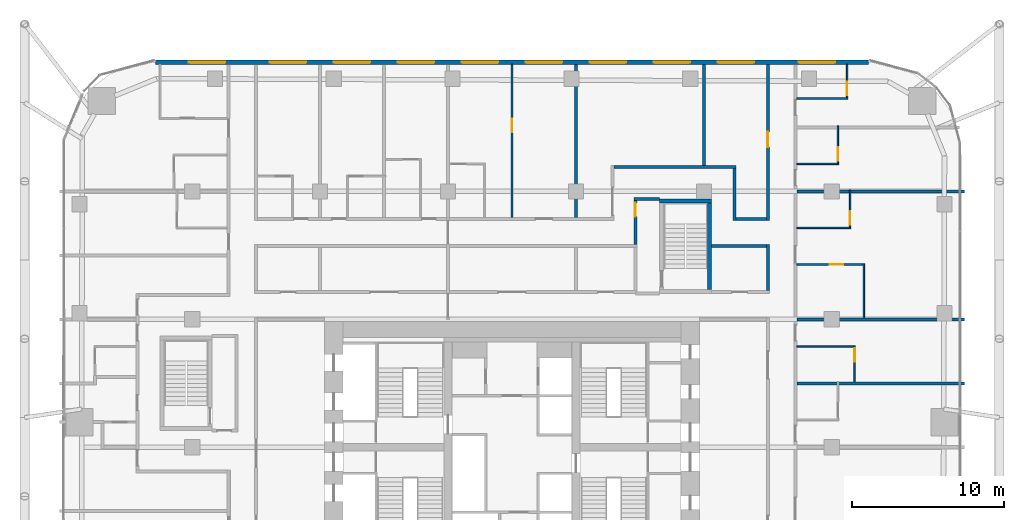
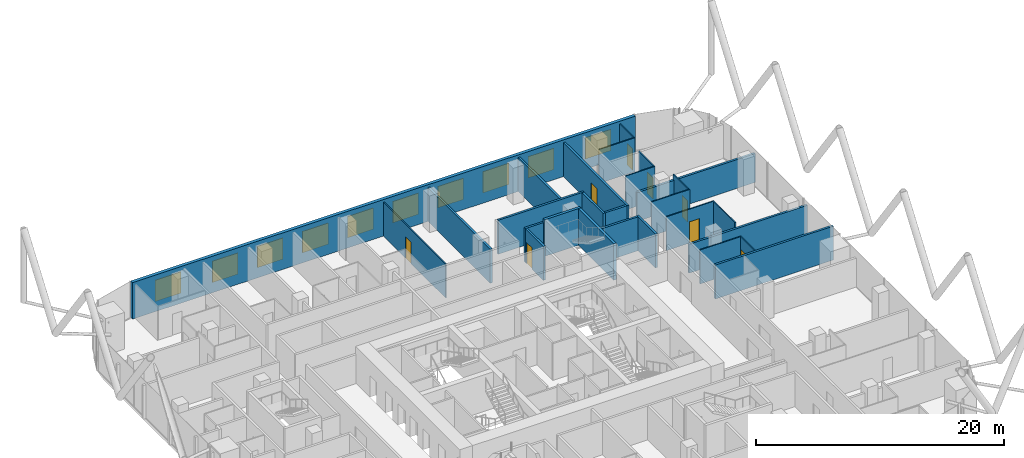
# One storey, part 35 of 38: 27 walls, 10 windows, 8 doors, 18 openings.
"""IFC4 building model written with IfcOpenShell, lengths in metres."""

from ifc_helpers import new_model, si_unit, direction, frame, frame_2d, origin, place, context, subcontext, project, spatial, rectangle, extrude, material, layer, layer_set, type_object, element, fill, save


model = new_model("IFC4")

# Units and contexts
model_context = context("Model", 3, precision=1e-05, world=origin(), true_north=direction((0.0, 1.0)))
body_context = subcontext(model_context, "Body", "Model", "MODEL_VIEW")
ifc_project = project(units=[si_unit("LENGTHUNIT", "METRE"), si_unit("AREAUNIT", "SQUARE_METRE"), si_unit("VOLUMEUNIT", "CUBIC_METRE"), si_unit("PLANEANGLEUNIT", "RADIAN"), si_unit("MASSUNIT", "GRAM", prefix="KILO")], contexts=[model_context])

# Site, building, storey
site_placement = place(None, origin())
site = spatial("IfcSite", under=ifc_project, at=site_placement, CompositionType="ELEMENT")
building_placement = place(site_placement, origin())
building = spatial("IfcBuilding", under=site, at=building_placement, Name="Marenta Gate Hotel Tower", CompositionType="ELEMENT")
storey_placement = place(building_placement, frame((0.0, 0.0, 40.10009765625)))
storey = spatial("IfcBuildingStorey", under=building, at=storey_placement, Name="L07", CompositionType="ELEMENT", Elevation=40.10009765625)

# Wall, openings, windows
ifc_material_1 = material(Name="Concrete C40 board-marked", Category="concrete")
ifc_layer_1 = layer(ifc_material_1, 0.300048828125)
ifc_layer_set_1 = layer_set([ifc_layer_1], Name="Concrete C40 board-marked")
wall_type_1 = type_object("IfcWallType", Name="Board-marked concrete wall 300 mm", PredefinedType="NOTDEFINED", material=ifc_layer_set_1)
wall_1_placement = place(storey_placement, frame((23.406005859375, 33.68994140625, 0.0), z_axis=(0.0, 0.0, 1.0), x_axis=(-1.0, 0.0, 0.0)))
wall_1 = element("IfcWall", 1, at=wall_1_placement, inside=storey, type_object=wall_type_1, Name="L07-CLD-N00", PredefinedType="NOTDEFINED", context=body_context, shape_type="SweptSolid", body=[
    extrude(rectangle(XDim=46.81201171875, YDim=0.300048828125, at=frame_2d((23.406005859375, 0.0))), origin(), (0.0, 0.0, 1.0), 3.599853515625),
])
opening_1_placement = place(wall_1_placement, frame((2.185791015625, 0.0, 0.89990234375)))
opening_1 = element("IfcOpeningElement", 2, at=opening_1_placement, cuts=wall_1, Name="Opening W1", PredefinedType="OPENING", context=body_context, shape_type="SweptSolid", body=[
    extrude(rectangle(XDim=2.39990234375, YDim=2.10009765625, at=frame_2d((1.199951171875, 1.050048828125))), frame((0.0, 0.14990234375, 0.0), z_axis=(0.0, -1.0, 0.0), x_axis=(1.0, 0.0, 0.0)), (0.0, 0.0, 1.0), 0.300048828125),
])
opening_2_placement = place(wall_1_placement, frame((7.505859375, 0.0, 0.89990234375)))
opening_2 = element("IfcOpeningElement", 3, at=opening_2_placement, cuts=wall_1, Name="Opening W1", PredefinedType="OPENING", context=body_context, shape_type="SweptSolid", body=[
    extrude(rectangle(XDim=2.39990234375, YDim=2.10009765625, at=frame_2d((1.199951171875, 1.050048828125))), frame((0.0, 0.14990234375, 0.0), z_axis=(0.0, -1.0, 0.0), x_axis=(1.0, 0.0, 0.0)), (0.0, 0.0, 1.0), 0.300048828125),
])
opening_3_placement = place(wall_1_placement, frame((11.705810546875, 0.0, 0.89990234375)))
opening_3 = element("IfcOpeningElement", 4, at=opening_3_placement, cuts=wall_1, Name="Opening W1", PredefinedType="OPENING", context=body_context, shape_type="SweptSolid", body=[
    extrude(rectangle(XDim=2.39990234375, YDim=2.10009765625, at=frame_2d((1.199951171875, 1.050048828125))), frame((0.0, 0.14990234375, 0.0), z_axis=(0.0, -1.0, 0.0), x_axis=(1.0, 0.0, 0.0)), (0.0, 0.0, 1.0), 0.300048828125),
])
opening_4_placement = place(wall_1_placement, frame((15.906005859375, 0.0, 0.89990234375)))
opening_4 = element("IfcOpeningElement", 5, at=opening_4_placement, cuts=wall_1, Name="Opening W1", PredefinedType="OPENING", context=body_context, shape_type="SweptSolid", body=[
    extrude(rectangle(XDim=2.39990234375, YDim=2.10009765625, at=frame_2d((1.199951171875, 1.050048828125))), frame((0.0, 0.14990234375, 0.0), z_axis=(0.0, -1.0, 0.0), x_axis=(1.0, 0.0, 0.0)), (0.0, 0.0, 1.0), 0.300048828125),
])
opening_5_placement = place(wall_1_placement, frame((20.10595703125, 0.0, 0.89990234375)))
opening_5 = element("IfcOpeningElement", 6, at=opening_5_placement, cuts=wall_1, Name="Opening W1", PredefinedType="OPENING", context=body_context, shape_type="SweptSolid", body=[
    extrude(rectangle(XDim=2.39990234375, YDim=2.10009765625, at=frame_2d((1.199951171875, 1.050048828125))), frame((0.0, 0.14990234375, 0.0), z_axis=(0.0, -1.0, 0.0), x_axis=(1.0, 0.0, 0.0)), (0.0, 0.0, 1.0), 0.300048828125),
])
opening_6_placement = place(wall_1_placement, frame((24.305908203125, 0.0, 0.89990234375)))
opening_6 = element("IfcOpeningElement", 7, at=opening_6_placement, cuts=wall_1, Name="Opening W1", PredefinedType="OPENING", context=body_context, shape_type="SweptSolid", body=[
    extrude(rectangle(XDim=2.39990234375, YDim=2.10009765625, at=frame_2d((1.199951171875, 1.050048828125))), frame((0.0, 0.14990234375, 0.0), z_axis=(0.0, -1.0, 0.0), x_axis=(1.0, 0.0, 0.0)), (0.0, 0.0, 1.0), 0.300048828125),
])
opening_7_placement = place(wall_1_placement, frame((28.505859375, 0.0, 0.89990234375)))
opening_7 = element("IfcOpeningElement", 8, at=opening_7_placement, cuts=wall_1, Name="Opening W1", PredefinedType="OPENING", context=body_context, shape_type="SweptSolid", body=[
    extrude(rectangle(XDim=2.39990234375, YDim=2.10009765625, at=frame_2d((1.199951171875, 1.050048828125))), frame((0.0, 0.14990234375, 0.0), z_axis=(0.0, -1.0, 0.0), x_axis=(1.0, 0.0, 0.0)), (0.0, 0.0, 1.0), 0.300048828125),
])
opening_8_placement = place(wall_1_placement, frame((32.705810546875, 0.0, 0.89990234375)))
opening_8 = element("IfcOpeningElement", 9, at=opening_8_placement, cuts=wall_1, Name="Opening W1", PredefinedType="OPENING", context=body_context, shape_type="SweptSolid", body=[
    extrude(rectangle(XDim=2.39990234375, YDim=2.10009765625, at=frame_2d((1.199951171875, 1.050048828125))), frame((0.0, 0.14990234375, 0.0), z_axis=(0.0, -1.0, 0.0), x_axis=(1.0, 0.0, 0.0)), (0.0, 0.0, 1.0), 0.300048828125),
])
opening_9_placement = place(wall_1_placement, frame((36.906005859375, 0.0, 0.89990234375)))
opening_9 = element("IfcOpeningElement", 10, at=opening_9_placement, cuts=wall_1, Name="Opening W1", PredefinedType="OPENING", context=body_context, shape_type="SweptSolid", body=[
    extrude(rectangle(XDim=2.39990234375, YDim=2.10009765625, at=frame_2d((1.199951171875, 1.050048828125))), frame((0.0, 0.14990234375, 0.0), z_axis=(0.0, -1.0, 0.0), x_axis=(1.0, 0.0, 0.0)), (0.0, 0.0, 1.0), 0.300048828125),
])
opening_10_placement = place(wall_1_placement, frame((42.225830078125, 0.0, 0.89990234375)))
opening_10 = element("IfcOpeningElement", 11, at=opening_10_placement, cuts=wall_1, Name="Opening W1", PredefinedType="OPENING", context=body_context, shape_type="SweptSolid", body=[
    extrude(rectangle(XDim=2.39990234375, YDim=2.10009765625, at=frame_2d((1.199951171875, 1.050048828125))), frame((0.0, 0.14990234375, 0.0), z_axis=(0.0, -1.0, 0.0), x_axis=(1.0, 0.0, 0.0)), (0.0, 0.0, 1.0), 0.300048828125),
])
ifc_material_2 = material(Name="Tinted insulated glass in bronze anodised frame", Category="glass")
window_type = type_object("IfcWindowType", Name="Window W1 2400x2100 bronze frame", PartitioningType="SINGLE_PANEL", PredefinedType="WINDOW", material=ifc_material_2)
window_1_placement = place(opening_1_placement, origin())
window_1 = element("IfcWindow", 12, at=window_1_placement, inside=storey, type_object=window_type, Name="Window W1", OverallHeight=2.10009765625, OverallWidth=2.39990234375, PartitioningType="SINGLE_PANEL", PredefinedType="WINDOW", context=body_context, shape_type="SweptSolid", body=[
    extrude(rectangle(XDim=2.39990234375, YDim=2.10009765625, at=frame_2d((1.199951171875, 1.050048828125))), frame((0.0, 0.030029296875, 0.0), z_axis=(0.0, -1.0, 0.0), x_axis=(1.0, 0.0, 0.0)), (0.0, 0.0, 1.0), 0.06005859375),
])
fill(opening_1, window_1)
window_2_placement = place(opening_2_placement, origin())
window_2 = element("IfcWindow", 13, at=window_2_placement, inside=storey, type_object=window_type, Name="Window W1", OverallHeight=2.10009765625, OverallWidth=2.39990234375, PartitioningType="SINGLE_PANEL", PredefinedType="WINDOW", context=body_context, shape_type="SweptSolid", body=[
    extrude(rectangle(XDim=2.39990234375, YDim=2.10009765625, at=frame_2d((1.199951171875, 1.050048828125))), frame((0.0, 0.030029296875, 0.0), z_axis=(0.0, -1.0, 0.0), x_axis=(1.0, 0.0, 0.0)), (0.0, 0.0, 1.0), 0.06005859375),
])
fill(opening_2, window_2)
window_3_placement = place(opening_3_placement, origin())
window_3 = element("IfcWindow", 14, at=window_3_placement, inside=storey, type_object=window_type, Name="Window W1", OverallHeight=2.10009765625, OverallWidth=2.39990234375, PartitioningType="SINGLE_PANEL", PredefinedType="WINDOW", context=body_context, shape_type="SweptSolid", body=[
    extrude(rectangle(XDim=2.39990234375, YDim=2.10009765625, at=frame_2d((1.199951171875, 1.050048828125))), frame((0.0, 0.030029296875, 0.0), z_axis=(0.0, -1.0, 0.0), x_axis=(1.0, 0.0, 0.0)), (0.0, 0.0, 1.0), 0.06005859375),
])
fill(opening_3, window_3)
window_4_placement = place(opening_4_placement, origin())
window_4 = element("IfcWindow", 15, at=window_4_placement, inside=storey, type_object=window_type, Name="Window W1", OverallHeight=2.10009765625, OverallWidth=2.39990234375, PartitioningType="SINGLE_PANEL", PredefinedType="WINDOW", context=body_context, shape_type="SweptSolid", body=[
    extrude(rectangle(XDim=2.39990234375, YDim=2.10009765625, at=frame_2d((1.199951171875, 1.050048828125))), frame((0.0, 0.030029296875, 0.0), z_axis=(0.0, -1.0, 0.0), x_axis=(1.0, 0.0, 0.0)), (0.0, 0.0, 1.0), 0.06005859375),
])
fill(opening_4, window_4)
window_5_placement = place(opening_5_placement, origin())
window_5 = element("IfcWindow", 16, at=window_5_placement, inside=storey, type_object=window_type, Name="Window W1", OverallHeight=2.10009765625, OverallWidth=2.39990234375, PartitioningType="SINGLE_PANEL", PredefinedType="WINDOW", context=body_context, shape_type="SweptSolid", body=[
    extrude(rectangle(XDim=2.39990234375, YDim=2.10009765625, at=frame_2d((1.199951171875, 1.050048828125))), frame((0.0, 0.030029296875, 0.0), z_axis=(0.0, -1.0, 0.0), x_axis=(1.0, 0.0, 0.0)), (0.0, 0.0, 1.0), 0.06005859375),
])
fill(opening_5, window_5)
window_6_placement = place(opening_6_placement, origin())
window_6 = element("IfcWindow", 17, at=window_6_placement, inside=storey, type_object=window_type, Name="Window W1", OverallHeight=2.10009765625, OverallWidth=2.39990234375, PartitioningType="SINGLE_PANEL", PredefinedType="WINDOW", context=body_context, shape_type="SweptSolid", body=[
    extrude(rectangle(XDim=2.39990234375, YDim=2.10009765625, at=frame_2d((1.199951171875, 1.050048828125))), frame((0.0, 0.030029296875, 0.0), z_axis=(0.0, -1.0, 0.0), x_axis=(1.0, 0.0, 0.0)), (0.0, 0.0, 1.0), 0.06005859375),
])
fill(opening_6, window_6)
window_7_placement = place(opening_7_placement, origin())
window_7 = element("IfcWindow", 18, at=window_7_placement, inside=storey, type_object=window_type, Name="Window W1", OverallHeight=2.10009765625, OverallWidth=2.39990234375, PartitioningType="SINGLE_PANEL", PredefinedType="WINDOW", context=body_context, shape_type="SweptSolid", body=[
    extrude(rectangle(XDim=2.39990234375, YDim=2.10009765625, at=frame_2d((1.199951171875, 1.050048828125))), frame((0.0, 0.030029296875, 0.0), z_axis=(0.0, -1.0, 0.0), x_axis=(1.0, 0.0, 0.0)), (0.0, 0.0, 1.0), 0.06005859375),
])
fill(opening_7, window_7)
window_8_placement = place(opening_8_placement, origin())
window_8 = element("IfcWindow", 19, at=window_8_placement, inside=storey, type_object=window_type, Name="Window W1", OverallHeight=2.10009765625, OverallWidth=2.39990234375, PartitioningType="SINGLE_PANEL", PredefinedType="WINDOW", context=body_context, shape_type="SweptSolid", body=[
    extrude(rectangle(XDim=2.39990234375, YDim=2.10009765625, at=frame_2d((1.199951171875, 1.050048828125))), frame((0.0, 0.030029296875, 0.0), z_axis=(0.0, -1.0, 0.0), x_axis=(1.0, 0.0, 0.0)), (0.0, 0.0, 1.0), 0.06005859375),
])
fill(opening_8, window_8)
window_9_placement = place(opening_9_placement, origin())
window_9 = element("IfcWindow", 20, at=window_9_placement, inside=storey, type_object=window_type, Name="Window W1", OverallHeight=2.10009765625, OverallWidth=2.39990234375, PartitioningType="SINGLE_PANEL", PredefinedType="WINDOW", context=body_context, shape_type="SweptSolid", body=[
    extrude(rectangle(XDim=2.39990234375, YDim=2.10009765625, at=frame_2d((1.199951171875, 1.050048828125))), frame((0.0, 0.030029296875, 0.0), z_axis=(0.0, -1.0, 0.0), x_axis=(1.0, 0.0, 0.0)), (0.0, 0.0, 1.0), 0.06005859375),
])
fill(opening_9, window_9)
window_10_placement = place(opening_10_placement, origin())
window_10 = element("IfcWindow", 21, at=window_10_placement, inside=storey, type_object=window_type, Name="Window W1", OverallHeight=2.10009765625, OverallWidth=2.39990234375, PartitioningType="SINGLE_PANEL", PredefinedType="WINDOW", context=body_context, shape_type="SweptSolid", body=[
    extrude(rectangle(XDim=2.39990234375, YDim=2.10009765625, at=frame_2d((1.199951171875, 1.050048828125))), frame((0.0, 0.030029296875, 0.0), z_axis=(0.0, -1.0, 0.0), x_axis=(1.0, 0.0, 0.0)), (0.0, 0.0, 1.0), 0.06005859375),
])
fill(opening_10, window_10)

# Walls
ifc_material_3 = material(Name="Concrete C40", Category="concrete")
ifc_layer_2 = layer(ifc_material_3, 0.25)
ifc_layer_set_2 = layer_set([ifc_layer_2], Name="Concrete C40")
wall_type_2 = type_object("IfcWallType", Name="Remote stair enclosure wall 250 REI 180", PredefinedType="SHEAR", material=ifc_layer_set_2)
wall_2_placement = place(storey_placement, frame((9.699951171875, 24.574951171875, 0.099853515625), z_axis=(0.0, 0.0, 1.0), x_axis=(1.0, 0.0, 0.0)))
element("IfcWall", 22, at=wall_2_placement, inside=storey, type_object=wall_type_2, Name="L07-RS-Z1-4-W2", PredefinedType="SHEAR", context=body_context, shape_type="SweptSolid", body=[
    extrude(rectangle(XDim=3.400146484375, YDim=0.25, at=frame_2d((1.7001953125, 0.0))), origin(), (0.0, 0.0, 1.0), 3.60009765625),
])
wall_3_placement = place(storey_placement, frame((12.97509765625, 18.75, 0.099853515625), z_axis=(0.0, 0.0, 1.0), x_axis=(0.0, 1.0, 0.0)))
element("IfcWall", 23, at=wall_3_placement, inside=storey, type_object=wall_type_2, Name="L07-RS-Z1-4-W4", PredefinedType="SHEAR", context=body_context, shape_type="SweptSolid", body=[
    extrude(rectangle(XDim=5.699951171875, YDim=0.25, at=frame_2d((2.85009765625, 0.0))), origin(), (0.0, 0.0, 1.0), 3.60009765625),
])
ifc_material_4 = material(Name="Gypsum board on steel stud", Category="steel")
ifc_layer_3 = layer(ifc_material_4, 0.199951171875)
ifc_layer_set_3 = layer_set([ifc_layer_3], Name="Gypsum board on steel stud")
wall_type_3 = type_object("IfcWallType", Name="Room corridor wall 200 EI 60", PredefinedType="PARTITIONING", material=ifc_layer_set_3)
wall_4_placement = place(storey_placement, frame((16.800048828125, 18.699951171875, 0.0), z_axis=(0.0, 0.0, 1.0), x_axis=(0.0, 1.0, 0.0)))
element("IfcWall", 24, at=wall_4_placement, inside=storey, type_object=wall_type_3, Name="L07-PTN-W015", PredefinedType="PARTITIONING", context=body_context, shape_type="SweptSolid", body=[
    extrude(rectangle(XDim=3.0, YDim=0.199951171875, at=frame_2d((1.5, 0.0))), origin(), (0.0, 0.0, 1.0), 3.33984375),
])

# Wall, opening, door
wall_5_placement = place(storey_placement, frame((16.800048828125, 23.300048828125, 0.0), z_axis=(0.0, 0.0, 1.0), x_axis=(0.0, 1.0, 0.0)))
wall_5 = element("IfcWall", 25, at=wall_5_placement, inside=storey, type_object=wall_type_3, Name="L07-PTN-W016", PredefinedType="PARTITIONING", context=body_context, shape_type="SweptSolid", body=[
    extrude(rectangle(XDim=10.239990234375, YDim=0.199951171875, at=frame_2d((5.1201171875, 0.0))), origin(), (0.0, 0.0, 1.0), 3.33984375),
])
opening_11_placement = place(wall_5_placement, frame((4.800048828125, 0.0, 0.0)))
opening_11 = element("IfcOpeningElement", 26, at=opening_11_placement, cuts=wall_5, Name="Opening G02-73", PredefinedType="OPENING", context=body_context, shape_type="SweptSolid", body=[
    extrude(rectangle(XDim=1.0, YDim=2.10009765625, at=frame_2d((0.5, 1.050048828125))), frame((0.0, 0.10009765625, 0.0), z_axis=(0.0, -1.0, 0.0), x_axis=(1.0, 0.0, 0.0)), (0.0, 0.0, 1.0), 0.199951171875),
])
ifc_material_5 = material(Name="Timber door leaf", Category="wood")
door_type_1 = type_object("IfcDoorType", Name="Room amenity door 1000x2100 EI 30", OperationType="NOTDEFINED", PredefinedType="DOOR", material=ifc_material_5)
door_1_placement = place(opening_11_placement, origin())
door_1 = element("IfcDoor", 27, at=door_1_placement, inside=storey, type_object=door_type_1, Name="L07-PD-D073", OperationType="SINGLE_SWING_LEFT", OverallHeight=2.10009765625, OverallWidth=1.0, PredefinedType="DOOR", context=body_context, shape_type="SweptSolid", body=[
    extrude(rectangle(XDim=1.0, YDim=2.10009765625, at=frame_2d((0.5, 1.050048828125))), frame((0.0, 0.02490234375, 0.0), z_axis=(0.0, -1.0, 0.0), x_axis=(1.0, 0.0, 0.0)), (0.0, 0.0, 1.0), 0.050048828125),
])
fill(opening_11, door_1)

# Walls
wall_6_placement = place(storey_placement, frame((14.60009765625, 23.300048828125, 0.0), z_axis=(0.0, 0.0, 1.0), x_axis=(0.0, 1.0, 0.0)))
element("IfcWall", 28, at=wall_6_placement, inside=storey, type_object=wall_type_3, Name="L07-PTN-W028", PredefinedType="PARTITIONING", context=body_context, shape_type="SweptSolid", body=[
    extrude(rectangle(XDim=3.39990234375, YDim=0.199951171875, at=frame_2d((1.699951171875, 0.0))), origin(), (0.0, 0.0, 1.0), 3.33984375),
])
wall_7_placement = place(storey_placement, frame((13.10009765625, 21.60009765625, 0.0), z_axis=(0.0, 0.0, 1.0), x_axis=(1.0, 0.0, 0.0)))
element("IfcWall", 29, at=wall_7_placement, inside=storey, type_object=wall_type_3, Name="L07-PTN-W127", PredefinedType="PARTITIONING", context=body_context, shape_type="SweptSolid", body=[
    extrude(rectangle(XDim=3.599853515625, YDim=0.199951171875, at=frame_2d((1.7998046875, 0.0))), origin(), (0.0, 0.0, 1.0), 3.33984375),
])
wall_8_placement = place(storey_placement, frame((14.699951171875, 23.39990234375, 0.0), z_axis=(0.0, 0.0, 1.0), x_axis=(1.0, 0.0, 0.0)))
element("IfcWall", 30, at=wall_8_placement, inside=storey, type_object=wall_type_3, Name="L07-PTN-W138", PredefinedType="PARTITIONING", context=body_context, shape_type="SweptSolid", body=[
    extrude(rectangle(XDim=2.0, YDim=0.199951171875, at=frame_2d((1.0, 0.0))), origin(), (0.0, 0.0, 1.0), 3.33984375),
])
wall_9_placement = place(storey_placement, frame((6.699951171875, 26.800048828125, 0.0), z_axis=(0.0, 0.0, 1.0), x_axis=(1.0, 0.0, 0.0)))
element("IfcWall", 31, at=wall_9_placement, inside=storey, type_object=wall_type_3, Name="L07-PTN-W145", PredefinedType="PARTITIONING", context=body_context, shape_type="SweptSolid", body=[
    extrude(rectangle(XDim=8.0, YDim=0.199951171875, at=frame_2d((4.0, 0.0))), origin(), (0.0, 0.0, 1.0), 3.33984375),
])

# Wall, opening, door
ifc_material_6 = material(Name="Concrete blockwork", Category="masonry")
ifc_layer_4 = layer(ifc_material_6, 0.199951171875)
ifc_layer_set_4 = layer_set([ifc_layer_4], Name="Concrete blockwork")
wall_type_4 = type_object("IfcWallType", Name="Room corridor wall 200 REI 180", PredefinedType="PARTITIONING", material=ifc_layer_set_4)
wall_10_placement = place(storey_placement, frame((8.10009765625, 21.699951171875, 0.0), z_axis=(0.0, 0.0, 1.0), x_axis=(0.0, 1.0, 0.0)))
wall_10 = element("IfcWall", 32, at=wall_10_placement, inside=storey, type_object=wall_type_4, Name="L07-PTN-W046", PredefinedType="PARTITIONING", context=body_context, shape_type="SweptSolid", body=[
    extrude(rectangle(XDim=2.900146484375, YDim=0.199951171875, at=frame_2d((1.4501953125, 0.0))), origin(), (0.0, 0.0, 1.0), 3.33984375),
])
opening_12_placement = place(wall_10_placement, frame((1.85009765625, 0.0, 0.0)))
opening_12 = element("IfcOpeningElement", 33, at=opening_12_placement, cuts=wall_10, Name="Opening G02-71", PredefinedType="OPENING", context=body_context, shape_type="SweptSolid", body=[
    extrude(rectangle(XDim=0.89990234375, YDim=2.10009765625, at=frame_2d((0.449951171875, 1.050048828125))), frame((0.0, 0.10009765625, 0.0), z_axis=(0.0, -1.0, 0.0), x_axis=(1.0, 0.0, 0.0)), (0.0, 0.0, 1.0), 0.199951171875),
])
ifc_material_7 = material(Name="Hollow steel door set", Category="steel")
door_type_2 = type_object("IfcDoorType", Name="Stair vestibule door 900x2100 EI 60", OperationType="NOTDEFINED", PredefinedType="DOOR", material=ifc_material_7)
door_2_placement = place(opening_12_placement, origin())
door_2 = element("IfcDoor", 34, at=door_2_placement, inside=storey, type_object=door_type_2, Name="L07-PD-D071", OperationType="SINGLE_SWING_LEFT", OverallHeight=2.10009765625, OverallWidth=0.89990234375, PredefinedType="DOOR", context=body_context, shape_type="SweptSolid", body=[
    extrude(rectangle(XDim=0.89990234375, YDim=2.10009765625, at=frame_2d((0.449951171875, 1.050048828125))), frame((0.0, 0.02490234375, 0.0), z_axis=(0.0, -1.0, 0.0), x_axis=(1.0, 0.0, 0.0)), (0.0, 0.0, 1.0), 0.050048828125),
])
fill(opening_12, door_2)

# Walls
wall_11_placement = place(storey_placement, frame((8.0, 24.699951171875, 0.0), z_axis=(0.0, 0.0, 1.0), x_axis=(1.0, 0.0, 0.0)))
element("IfcWall", 35, at=wall_11_placement, inside=storey, type_object=wall_type_4, Name="L07-PTN-W140", PredefinedType="PARTITIONING", context=body_context, shape_type="SweptSolid", body=[
    extrude(rectangle(XDim=1.699951171875, YDim=0.199951171875, at=frame_2d((0.85009765625, 0.0))), origin(), (0.0, 0.0, 1.0), 3.33984375),
])
ifc_material_8 = material(Name="Gypsum board on steel stud", Category="steel")
ifc_layer_5 = layer(ifc_material_8, 0.10009765625)
ifc_layer_set_5 = layer_set([ifc_layer_5], Name="Gypsum board on steel stud")
wall_type_5 = type_object("IfcWallType", Name="Room partition 100", PredefinedType="PARTITIONING", material=ifc_layer_set_5)
wall_12_placement = place(storey_placement, frame((23.10009765625, 16.89990234375, 0.0), z_axis=(0.0, 0.0, 1.0), x_axis=(0.0, 1.0, 0.0)))
element("IfcWall", 36, at=wall_12_placement, inside=storey, type_object=wall_type_5, Name="L07-PTN-W002", PredefinedType="PARTITIONING", context=body_context, shape_type="SweptSolid", body=[
    extrude(rectangle(XDim=3.550048828125, YDim=0.10009765625, at=frame_2d((1.77490234375, 0.0))), origin(), (0.0, 0.0, 1.0), 3.33984375),
])

# Wall, opening, door
wall_13_placement = place(storey_placement, frame((22.5, 12.699951171875, 0.0), z_axis=(0.0, 0.0, 1.0), x_axis=(0.0, 1.0, 0.0)))
wall_13 = element("IfcWall", 37, at=wall_13_placement, inside=storey, type_object=wall_type_5, Name="L07-PTN-W003", PredefinedType="PARTITIONING", context=body_context, shape_type="SweptSolid", body=[
    extrude(rectangle(XDim=2.35009765625, YDim=0.10009765625, at=frame_2d((1.175048828125, 0.0))), origin(), (0.0, 0.0, 1.0), 3.33984375),
])
opening_13_placement = place(wall_13_placement, frame((1.300048828125, 0.0, 0.0)))
opening_13 = element("IfcOpeningElement", 38, at=opening_13_placement, cuts=wall_13, Name="Opening G02-22", PredefinedType="OPENING", context=body_context, shape_type="SweptSolid", body=[
    extrude(rectangle(XDim=0.89990234375, YDim=2.10009765625, at=frame_2d((0.449951171875, 1.050048828125))), frame((0.0, 0.050048828125, 0.0), z_axis=(0.0, -1.0, 0.0), x_axis=(1.0, 0.0, 0.0)), (0.0, 0.0, 1.0), 0.10009765625),
])
ifc_material_9 = material(Name="Timber door leaf", Category="wood")
door_type_3 = type_object("IfcDoorType", Name="Guest bathroom door 900x2100", OperationType="NOTDEFINED", PredefinedType="DOOR", material=ifc_material_9)
door_3_placement = place(opening_13_placement, origin())
door_3 = element("IfcDoor", 39, at=door_3_placement, inside=storey, type_object=door_type_3, Name="L07-PD-D022", OperationType="SINGLE_SWING_RIGHT", OverallHeight=2.10009765625, OverallWidth=0.89990234375, PredefinedType="DOOR", context=body_context, shape_type="SweptSolid", body=[
    extrude(rectangle(XDim=0.89990234375, YDim=2.10009765625, at=frame_2d((0.449951171875, 1.050048828125))), frame((0.0, 0.02490234375, 0.0), z_axis=(0.0, -1.0, 0.0), x_axis=(1.0, 0.0, 0.0)), (0.0, 0.0, 1.0), 0.050048828125),
])
fill(opening_13, door_3)

wall_14_placement = place(storey_placement, frame((22.199951171875, 22.85009765625, 0.0), z_axis=(0.0, 0.0, 1.0), x_axis=(0.0, 1.0, 0.0)))
wall_14 = element("IfcWall", 40, at=wall_14_placement, inside=storey, type_object=wall_type_5, Name="L07-PTN-W006", PredefinedType="PARTITIONING", context=body_context, shape_type="SweptSolid", body=[
    extrude(rectangle(XDim=2.449951171875, YDim=0.10009765625, at=frame_2d((1.22509765625, 0.0))), origin(), (0.0, 0.0, 1.0), 3.33984375),
])
opening_14_placement = place(wall_14_placement, frame((0.14990234375, 0.0, 0.0)))
opening_14 = element("IfcOpeningElement", 41, at=opening_14_placement, cuts=wall_14, Name="Opening G02-25", PredefinedType="OPENING", context=body_context, shape_type="SweptSolid", body=[
    extrude(rectangle(XDim=0.89990234375, YDim=2.10009765625, at=frame_2d((0.449951171875, 1.050048828125))), frame((0.0, 0.050048828125, 0.0), z_axis=(0.0, -1.0, 0.0), x_axis=(1.0, 0.0, 0.0)), (0.0, 0.0, 1.0), 0.10009765625),
])
ifc_material_10 = material(Name="Timber door leaf", Category="wood")
door_type_4 = type_object("IfcDoorType", Name="Room inner door 900x2100", OperationType="NOTDEFINED", PredefinedType="DOOR", material=ifc_material_10)
door_4_placement = place(opening_14_placement, origin())
door_4 = element("IfcDoor", 42, at=door_4_placement, inside=storey, type_object=door_type_4, Name="L07-PD-D025", OperationType="SINGLE_SWING_LEFT", OverallHeight=2.10009765625, OverallWidth=0.89990234375, PredefinedType="DOOR", context=body_context, shape_type="SweptSolid", body=[
    extrude(rectangle(XDim=0.89990234375, YDim=2.10009765625, at=frame_2d((0.449951171875, 1.050048828125))), frame((0.0, 0.02490234375, 0.0), z_axis=(0.0, -1.0, 0.0), x_axis=(1.0, 0.0, 0.0)), (0.0, 0.0, 1.0), 0.050048828125),
])
fill(opening_14, door_4)

wall_15_placement = place(storey_placement, frame((22.0, 31.35009765625, 0.0), z_axis=(0.0, 0.0, 1.0), x_axis=(0.0, 1.0, 0.0)))
wall_15 = element("IfcWall", 43, at=wall_15_placement, inside=storey, type_object=wall_type_5, Name="L07-PTN-W007", PredefinedType="PARTITIONING", context=body_context, shape_type="SweptSolid", body=[
    extrude(rectangle(XDim=2.18994140625, YDim=0.10009765625, at=frame_2d((1.094970703125, 0.0))), origin(), (0.0, 0.0, 1.0), 3.33984375),
])
opening_15_placement = place(wall_15_placement, frame((0.14990234375, 0.0, 0.0)))
opening_15 = element("IfcOpeningElement", 44, at=opening_15_placement, cuts=wall_15, Name="Opening G02-29", PredefinedType="OPENING", context=body_context, shape_type="SweptSolid", body=[
    extrude(rectangle(XDim=0.89990234375, YDim=2.10009765625, at=frame_2d((0.449951171875, 1.050048828125))), frame((0.0, 0.050048828125, 0.0), z_axis=(0.0, -1.0, 0.0), x_axis=(1.0, 0.0, 0.0)), (0.0, 0.0, 1.0), 0.10009765625),
])
door_5_placement = place(opening_15_placement, origin())
door_5 = element("IfcDoor", 45, at=door_5_placement, inside=storey, type_object=door_type_3, Name="L07-PD-D029", OperationType="SINGLE_SWING_LEFT", OverallHeight=2.10009765625, OverallWidth=0.89990234375, PredefinedType="DOOR", context=body_context, shape_type="SweptSolid", body=[
    extrude(rectangle(XDim=0.89990234375, YDim=2.10009765625, at=frame_2d((0.449951171875, 1.050048828125))), frame((0.0, 0.02490234375, 0.0), z_axis=(0.0, -1.0, 0.0), x_axis=(1.0, 0.0, 0.0)), (0.0, 0.0, 1.0), 0.050048828125),
])
fill(opening_15, door_5)

wall_16_placement = place(storey_placement, frame((21.39990234375, 27.050048828125, 0.0), z_axis=(0.0, 0.0, 1.0), x_axis=(0.0, 1.0, 0.0)))
wall_16 = element("IfcWall", 46, at=wall_16_placement, inside=storey, type_object=wall_type_5, Name="L07-PTN-W009", PredefinedType="PARTITIONING", context=body_context, shape_type="SweptSolid", body=[
    extrude(rectangle(XDim=2.449951171875, YDim=0.10009765625, at=frame_2d((1.22509765625, 0.0))), origin(), (0.0, 0.0, 1.0), 3.33984375),
])
opening_16_placement = place(wall_16_placement, frame((0.14990234375, 0.0, 0.0)))
opening_16 = element("IfcOpeningElement", 47, at=opening_16_placement, cuts=wall_16, Name="Opening G02-27", PredefinedType="OPENING", context=body_context, shape_type="SweptSolid", body=[
    extrude(rectangle(XDim=0.89990234375, YDim=2.10009765625, at=frame_2d((0.449951171875, 1.050048828125))), frame((0.0, 0.050048828125, 0.0), z_axis=(0.0, -1.0, 0.0), x_axis=(1.0, 0.0, 0.0)), (0.0, 0.0, 1.0), 0.10009765625),
])
door_6_placement = place(opening_16_placement, origin())
door_6 = element("IfcDoor", 48, at=door_6_placement, inside=storey, type_object=door_type_3, Name="L07-PD-D027", OperationType="SINGLE_SWING_LEFT", OverallHeight=2.10009765625, OverallWidth=0.89990234375, PredefinedType="DOOR", context=body_context, shape_type="SweptSolid", body=[
    extrude(rectangle(XDim=0.89990234375, YDim=2.10009765625, at=frame_2d((0.449951171875, 1.050048828125))), frame((0.0, 0.02490234375, 0.0), z_axis=(0.0, -1.0, 0.0), x_axis=(1.0, 0.0, 0.0)), (0.0, 0.0, 1.0), 0.050048828125),
])
fill(opening_16, door_6)

wall_17_placement = place(storey_placement, frame((0.0, 23.5, 0.0), z_axis=(0.0, 0.0, 1.0), x_axis=(0.0, 1.0, 0.0)))
wall_17 = element("IfcWall", 49, at=wall_17_placement, inside=storey, type_object=wall_type_5, Name="L07-PTN-W071", PredefinedType="PARTITIONING", context=body_context, shape_type="SweptSolid", body=[
    extrude(rectangle(XDim=10.0400390625, YDim=0.10009765625, at=frame_2d((5.02001953125, 0.0))), origin(), (0.0, 0.0, 1.0), 3.33984375),
])
opening_17_placement = place(wall_17_placement, frame((5.570068359375, 0.0, 0.0)))
opening_17 = element("IfcOpeningElement", 50, at=opening_17_placement, cuts=wall_17, Name="Opening G02-37", PredefinedType="OPENING", context=body_context, shape_type="SweptSolid", body=[
    extrude(rectangle(XDim=0.89990234375, YDim=2.10009765625, at=frame_2d((0.449951171875, 1.050048828125))), frame((0.0, 0.050048828125, 0.0), z_axis=(0.0, -1.0, 0.0), x_axis=(1.0, 0.0, 0.0)), (0.0, 0.0, 1.0), 0.10009765625),
])
door_7_placement = place(opening_17_placement, origin())
door_7 = element("IfcDoor", 51, at=door_7_placement, inside=storey, type_object=door_type_4, Name="L07-PD-D037", OperationType="SINGLE_SWING_LEFT", OverallHeight=2.10009765625, OverallWidth=0.89990234375, PredefinedType="DOOR", context=body_context, shape_type="SweptSolid", body=[
    extrude(rectangle(XDim=0.89990234375, YDim=2.10009765625, at=frame_2d((0.449951171875, 1.050048828125))), frame((0.0, 0.02490234375, 0.0), z_axis=(0.0, -1.0, 0.0), x_axis=(1.0, 0.0, 0.0)), (0.0, 0.0, 1.0), 0.050048828125),
])
fill(opening_17, door_7)

# Wall
wall_18_placement = place(storey_placement, frame((18.699951171875, 15.0, 0.0), z_axis=(0.0, 0.0, 1.0), x_axis=(1.0, 0.0, 0.0)))
element("IfcWall", 52, at=wall_18_placement, inside=storey, type_object=wall_type_5, Name="L07-PTN-W106", PredefinedType="PARTITIONING", context=body_context, shape_type="SweptSolid", body=[
    extrude(rectangle(XDim=3.75, YDim=0.10009765625, at=frame_2d((1.875, 0.0))), origin(), (0.0, 0.0, 1.0), 3.33984375),
])

# Wall, opening, door
wall_19_placement = place(storey_placement, frame((18.699951171875, 20.39990234375, 0.0), z_axis=(0.0, 0.0, 1.0), x_axis=(1.0, 0.0, 0.0)))
wall_19 = element("IfcWall", 53, at=wall_19_placement, inside=storey, type_object=wall_type_5, Name="L07-PTN-W123", PredefinedType="PARTITIONING", context=body_context, shape_type="SweptSolid", body=[
    extrude(rectangle(XDim=4.35009765625, YDim=0.10009765625, at=frame_2d((2.175048828125, 0.0))), origin(), (0.0, 0.0, 1.0), 3.33984375),
])
opening_18_placement = place(wall_19_placement, frame((2.14990234375, 0.0, 0.0)))
opening_18 = element("IfcOpeningElement", 54, at=opening_18_placement, cuts=wall_19, Name="Opening G02-24", PredefinedType="OPENING", context=body_context, shape_type="SweptSolid", body=[
    extrude(rectangle(XDim=0.89990234375, YDim=2.10009765625, at=frame_2d((0.449951171875, 1.050048828125))), frame((0.0, 0.050048828125, 0.0), z_axis=(0.0, -1.0, 0.0), x_axis=(1.0, 0.0, 0.0)), (0.0, 0.0, 1.0), 0.10009765625),
])
door_8_placement = place(opening_18_placement, origin())
door_8 = element("IfcDoor", 55, at=door_8_placement, inside=storey, type_object=door_type_3, Name="L07-PD-D024", OperationType="SINGLE_SWING_LEFT", OverallHeight=2.10009765625, OverallWidth=0.89990234375, PredefinedType="DOOR", context=body_context, shape_type="SweptSolid", body=[
    extrude(rectangle(XDim=0.89990234375, YDim=2.10009765625, at=frame_2d((0.449951171875, 1.050048828125))), frame((0.0, 0.02490234375, 0.0), z_axis=(0.0, -1.0, 0.0), x_axis=(1.0, 0.0, 0.0)), (0.0, 0.0, 1.0), 0.050048828125),
])
fill(opening_18, door_8)

# Walls
wall_20_placement = place(storey_placement, frame((18.699951171875, 22.800048828125, 0.0), z_axis=(0.0, 0.0, 1.0), x_axis=(1.0, 0.0, 0.0)))
element("IfcWall", 56, at=wall_20_placement, inside=storey, type_object=wall_type_5, Name="L07-PTN-W134", PredefinedType="PARTITIONING", context=body_context, shape_type="SweptSolid", body=[
    extrude(rectangle(XDim=3.550048828125, YDim=0.10009765625, at=frame_2d((1.77490234375, 0.0))), origin(), (0.0, 0.0, 1.0), 3.33984375),
])
wall_21_placement = place(storey_placement, frame((18.699951171875, 27.0, 0.0), z_axis=(0.0, 0.0, 1.0), x_axis=(1.0, 0.0, 0.0)))
element("IfcWall", 57, at=wall_21_placement, inside=storey, type_object=wall_type_5, Name="L07-PTN-W148", PredefinedType="PARTITIONING", context=body_context, shape_type="SweptSolid", body=[
    extrude(rectangle(XDim=2.75, YDim=0.10009765625, at=frame_2d((1.375, 0.0))), origin(), (0.0, 0.0, 1.0), 3.33984375),
])
wall_22_placement = place(storey_placement, frame((18.699951171875, 31.300048828125, 0.0), z_axis=(0.0, 0.0, 1.0), x_axis=(1.0, 0.0, 0.0)))
element("IfcWall", 58, at=wall_22_placement, inside=storey, type_object=wall_type_5, Name="L07-PTN-W155", PredefinedType="PARTITIONING", context=body_context, shape_type="SweptSolid", body=[
    extrude(rectangle(XDim=3.35009765625, YDim=0.10009765625, at=frame_2d((1.675048828125, 0.0))), origin(), (0.0, 0.0, 1.0), 3.33984375),
])
ifc_material_11 = material(Name="Gypsum board on steel stud", Category="steel")
ifc_layer_6 = layer(ifc_material_11, 0.199951171875)
ifc_layer_set_6 = layer_set([ifc_layer_6], Name="Gypsum board on steel stud")
wall_type_6 = type_object("IfcWallType", Name="Room party wall 200 EI 60", PredefinedType="PARTITIONING", material=ifc_layer_set_6)
wall_23_placement = place(storey_placement, frame((12.60009765625, 26.89990234375, 0.0), z_axis=(0.0, 0.0, 1.0), x_axis=(0.0, 1.0, 0.0)))
element("IfcWall", 59, at=wall_23_placement, inside=storey, type_object=wall_type_6, Name="L07-PTN-W033", PredefinedType="PARTITIONING", context=body_context, shape_type="SweptSolid", body=[
    extrude(rectangle(XDim=6.64013671875, YDim=0.199951171875, at=frame_2d((3.320068359375, 0.0))), origin(), (0.0, 0.0, 1.0), 3.33984375),
])
wall_24_placement = place(storey_placement, frame((4.199951171875, 23.5, 0.0), z_axis=(0.0, 0.0, 1.0), x_axis=(0.0, 1.0, 0.0)))
element("IfcWall", 60, at=wall_24_placement, inside=storey, type_object=wall_type_6, Name="L07-PTN-W057", PredefinedType="PARTITIONING", context=body_context, shape_type="SweptSolid", body=[
    extrude(rectangle(XDim=10.0400390625, YDim=0.199951171875, at=frame_2d((5.02001953125, 0.0))), origin(), (0.0, 0.0, 1.0), 3.33984375),
])
wall_25_placement = place(storey_placement, frame((18.699951171875, 12.60009765625, 0.0), z_axis=(0.0, 0.0, 1.0), x_axis=(1.0, 0.0, 0.0)))
element("IfcWall", 61, at=wall_25_placement, inside=storey, type_object=wall_type_6, Name="L07-PTN-W102", PredefinedType="PARTITIONING", context=body_context, shape_type="SweptSolid", body=[
    extrude(rectangle(XDim=11.0, YDim=0.199951171875, at=frame_2d((5.5, 0.0))), origin(), (0.0, 0.0, 1.0), 3.33984375),
])
for number, where, z_axis, x_axis, name in (
    (62, (18.699951171875, 16.800048828125, 0.0), (0.0, 0.0, 1.0), (1.0, 0.0, 0.0), "L07-PTN-W115"),
    (63, (18.699951171875, 25.199951171875, 0.0), (0.0, 0.0, 1.0), (1.0, 0.0, 0.0), "L07-PTN-W142"),
):
    element("IfcWall", number, at=place(storey_placement, frame(where, z_axis=z_axis, x_axis=x_axis)), inside=storey, type_object=wall_type_6, Name=name, PredefinedType="PARTITIONING", context=body_context, shape_type="SweptSolid", body=[
        extrude(rectangle(XDim=11.0, YDim=0.199951171875, at=frame_2d((5.5, 0.0))), origin(), (0.0, 0.0, 1.0), 2.83984375),
    ])

save(model, "model.ifc")
